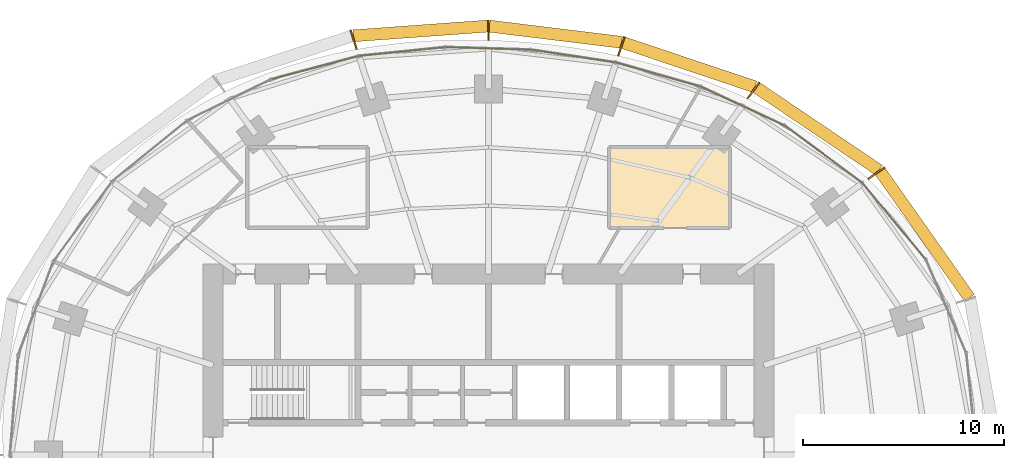
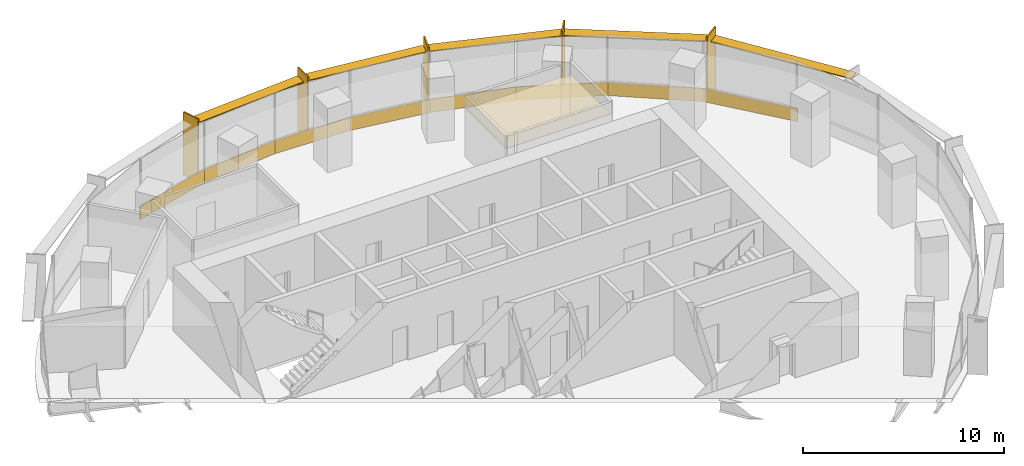
# One storey, part 14 of 14: 10 shading devices, 9 coverings.
"""IFC4 building model written with IfcOpenShell, lengths in metres."""

import ifcopenshell
import ifcopenshell.guid

model = None  # the IFC model being written
_history = None  # IfcOwnerHistory: only IFC2X3 demands one
_inside = {}  # id of a spatial element -> (the spatial element, [elements in it])
_under = {}  # id of a project, library or spatial element -> (it, [spatial elements below it])
_declared = {}  # id of a project -> (the project, [libraries it declares])
_typed = {}  # id of a type object -> (the type object, [elements of that type])
_made_of = {}  # id of a material, layer set ... -> (it, [elements and type objects made of it])


def new_model(schema):
    """Start an empty IFC model of exactly this schema.

    Asked for "IFC4X3", IfcOpenShell would pick the latest addendum, in which some entities
    have other attributes; the version numbers below select the first issue.
    IFC2X3 requires an IfcOwnerHistory on every rooted entity: one is made here for all.
    """
    global model, _history
    if schema == "IFC4X3":
        model = ifcopenshell.file(schema_version=(4, 3, 0, 0))
    else:
        model = ifcopenshell.file(schema=schema)
    _inside.clear()
    _under.clear()
    _declared.clear()
    _typed.clear()
    _made_of.clear()
    _history = None
    if model.schema == "IFC2X3":
        org = make("IfcOrganization", Name="unknown")
        user = make(
            "IfcPersonAndOrganization",
            ThePerson=make("IfcPerson", FamilyName="unknown"),
            TheOrganization=org,
        )
        app = make(
            "IfcApplication",
            ApplicationDeveloper=org,
            Version="unknown",
            ApplicationFullName="unknown",
            ApplicationIdentifier="unknown",
        )
        _history = make(
            "IfcOwnerHistory",
            OwningUser=user,
            OwningApplication=app,
            ChangeAction="ADDED",
            CreationDate=0,
        )
    return model


def make(cls, **values):
    """One entity of the class cls with the attributes given. An attribute that is None is left unset."""
    return model.create_entity(
        cls, **{name: value for name, value in values.items() if value is not None}
    )


def rooted(cls, **values):
    """An entity with a GlobalId (a new one), such as an element, a storey or a relation."""
    return make(cls, GlobalId=ifcopenshell.guid.new(), OwnerHistory=_history, **values)


def si_unit(unit_type, name, prefix=None):
    """IfcSIUnit, for example si_unit("LENGTHUNIT", "METRE", prefix="MILLI")."""
    return make("IfcSIUnit", UnitType=unit_type, Prefix=prefix, Name=name)


def assignment(units):
    """IfcUnitAssignment: the units of a project."""
    return None if units is None else make("IfcUnitAssignment", Units=units)


def point(xyz):
    """IfcCartesianPoint."""
    return None if xyz is None else make("IfcCartesianPoint", Coordinates=xyz)


def direction(xyz):
    """IfcDirection."""
    return None if xyz is None else make("IfcDirection", DirectionRatios=xyz)


def frame(location, z_axis=None, x_axis=None):
    """IfcAxis2Placement3D, a coordinate frame: its origin and axes. An axis left out is left unset."""
    return make(
        "IfcAxis2Placement3D",
        Location=point(location),
        Axis=direction(z_axis),
        RefDirection=direction(x_axis),
    )


def frame_2d(location, x_axis=None):
    """IfcAxis2Placement2D, a coordinate frame in the plane: its origin and x axis."""
    return make(
        "IfcAxis2Placement2D", Location=point(location), RefDirection=direction(x_axis)
    )


def origin():
    """The frame at (0, 0, 0) with its axes left unset."""
    return frame((0.0, 0.0, 0.0))


def origin_2d():
    """The frame at (0, 0) in the plane with its x axis left unset."""
    return frame_2d((0.0, 0.0))


def place(relative_to, where):
    """IfcLocalPlacement: puts the frame where relative to a parent placement (None: the world)."""
    return make(
        "IfcLocalPlacement", PlacementRelTo=relative_to, RelativePlacement=where
    )


def context(
    kind, dimensions, precision=None, world=None, true_north=None, identifier=None
):
    """IfcGeometricRepresentationContext, for example the 3D "Model" context."""
    return make(
        "IfcGeometricRepresentationContext",
        ContextIdentifier=identifier,
        ContextType=kind,
        CoordinateSpaceDimension=dimensions,
        Precision=precision,
        WorldCoordinateSystem=world,
        TrueNorth=true_north,
    )


def subcontext(parent, identifier, kind, view, scale=None):
    """IfcGeometricRepresentationSubContext, for example "Body" below "Model"."""
    return make(
        "IfcGeometricRepresentationSubContext",
        ContextIdentifier=identifier,
        ContextType=kind,
        ParentContext=parent,
        TargetScale=scale,
        TargetView=view,
    )


def project(units=None, contexts=None):
    """IfcProject with its units and contexts."""
    return rooted(
        "IfcProject",
        Name="project",
        RepresentationContexts=contexts,
        UnitsInContext=assignment(units),
    )


def spatial(cls, under=None, at=None, **own):
    """A site, building, storey or space (cls), placed at a placement, below another one or the project."""
    s = rooted(cls, ObjectPlacement=at, **own)
    if under is not None:
        _under.setdefault(under.id(), (under, []))[1].append(s)
    return s


def polyline(points):
    """IfcPolyline through the points."""
    return make("IfcPolyline", Points=[point(p) for p in points])


def profile(cls, at=None, kind="AREA", **sizes):
    """A parametric profile (cls). Its sizes go by their IFC names, for example OverallWidth=200.0."""
    return make(cls, ProfileType=kind, Position=at, **sizes)


def rectangle(**sizes):
    """IfcRectangleProfileDef."""
    return profile("IfcRectangleProfileDef", **sizes)


def outline(outer, holes=None, kind="AREA"):
    """IfcArbitraryClosedProfileDef: a profile drawn as a closed curve; with holes, ...WithVoids."""
    if holes is None:
        return make("IfcArbitraryClosedProfileDef", ProfileType=kind, OuterCurve=outer)
    return make(
        "IfcArbitraryProfileDefWithVoids",
        ProfileType=kind,
        OuterCurve=outer,
        InnerCurves=holes,
    )


def extrude(swept, where, along, depth):
    """IfcExtrudedAreaSolid: the profile swept, set in the frame where, extruded along a direction by depth."""
    return make(
        "IfcExtrudedAreaSolid",
        SweptArea=swept,
        Position=where,
        ExtrudedDirection=direction(along),
        Depth=depth,
    )


def shape(context_of_items, identifier, shape_type, items):
    """IfcShapeRepresentation: the items that make up one representation, for example the "Body"."""
    return make(
        "IfcShapeRepresentation",
        ContextOfItems=context_of_items,
        RepresentationIdentifier=identifier,
        RepresentationType=shape_type,
        Items=items,
    )


def material(Name=None, Category=None):
    """IfcMaterial."""
    return make("IfcMaterial", Name=Name, Category=Category)


def layer(
    of_material, thickness, ventilated=None, Name=None, Category=None, Priority=None
):
    """IfcMaterialLayer: one layer of a wall or slab, of a material (None: an air gap)."""
    return make(
        "IfcMaterialLayer",
        Material=of_material,
        LayerThickness=thickness,
        IsVentilated=ventilated,
        Name=Name,
        Category=Category,
        Priority=Priority,
    )


def layer_set(layers, Name=None):
    """IfcMaterialLayerSet."""
    return make("IfcMaterialLayerSet", MaterialLayers=layers, LayerSetName=Name)


def made_of(thing, what):
    """Note that an element or type object is made of a material, layer set ...; save() writes the relation."""
    if what is not None:
        _made_of.setdefault(what.id(), (what, []))[1].append(thing)
    return thing


def type_object(cls, material=None, **own):
    """A type object (cls), such as IfcWallType, which elements share."""
    return made_of(rooted(cls, **own), material)


def element(
    cls,
    number,
    at=None,
    inside=None,
    cuts=None,
    type_object=None,
    material=None,
    context=None,
    identifier="Body",
    shape_type=None,
    held_by="IfcProductDefinitionShape",
    body=None,
    shapes=None,
    **own,
):
    """One element of the class cls, such as IfcWall. Its Tag is "e" and its number.

    at: its placement. inside: the storey or other place that contains it. cuts: it is an
    opening in that element (IfcRelVoidsElement). A single representation is given by context,
    identifier, shape_type and body (its items); several are given by shapes. held_by: the class
    of the entity that holds the representations. save() writes the other relations.
    """
    e = rooted(cls, Tag="e%d" % number, ObjectPlacement=at, **own)
    if body is not None:
        shapes = [shape(context, identifier, shape_type, body)]
    if shapes is not None:
        e.Representation = make(held_by, Representations=shapes)
    if inside is not None:
        _inside.setdefault(inside.id(), (inside, []))[1].append(e)
    if cuts is not None:
        rooted(
            "IfcRelVoidsElement", RelatingBuildingElement=cuts, RelatedOpeningElement=e
        )
    if type_object is not None:
        _typed.setdefault(type_object.id(), (type_object, []))[1].append(e)
    return made_of(e, material)


def aggregate(whole, parts):
    """IfcRelAggregates: a whole, such as a stair, and the parts it consists of."""
    return rooted("IfcRelAggregates", RelatingObject=whole, RelatedObjects=parts)


def save(model, path):
    """Write the relations noted so far, then the file.

    IfcRelAggregates (storeys below a building ...), IfcRelContainedInSpatialStructure (elements
    in a storey), IfcRelDefinesByType, IfcRelAssociatesMaterial and IfcRelDeclares: one each for
    every whole, place, type object, material and project.
    """
    for whole, parts in _under.values():
        aggregate(whole, parts)
    for where, things in _inside.values():
        rooted(
            "IfcRelContainedInSpatialStructure",
            RelatedElements=things,
            RelatingStructure=where,
        )
    for kind, things in _typed.values():
        rooted("IfcRelDefinesByType", RelatedObjects=things, RelatingType=kind)
    for what, things in _made_of.values():
        rooted("IfcRelAssociatesMaterial", RelatedObjects=things, RelatingMaterial=what)
    for by, libraries in _declared.values():
        rooted("IfcRelDeclares", RelatingContext=by, RelatedDefinitions=libraries)
    model.write(path)


model = new_model("IFC4")

# Units and contexts
model_context = context("Model", 3, precision=1e-05, world=origin(), true_north=direction((0.0, 1.0)))
body_context = subcontext(model_context, "Body", "Model", "MODEL_VIEW")
ifc_project = project(units=[si_unit("LENGTHUNIT", "METRE"), si_unit("AREAUNIT", "SQUARE_METRE"), si_unit("VOLUMEUNIT", "CUBIC_METRE"), si_unit("PLANEANGLEUNIT", "RADIAN"), si_unit("MASSUNIT", "GRAM", prefix="KILO")], contexts=[model_context])

# Site, building, storey
site_placement = place(None, origin())
site = spatial("IfcSite", under=ifc_project, at=site_placement, CompositionType="ELEMENT")
building_placement = place(site_placement, origin())
building = spatial("IfcBuilding", under=site, at=building_placement, Name="Marramba Exchange Tower", CompositionType="ELEMENT")
storey_placement = place(building_placement, frame((0.0, 0.0, 242.300048828125)))
storey = spatial("IfcBuildingStorey", under=building, at=storey_placement, Name="L59", CompositionType="ELEMENT", Elevation=242.300048828125)

# Shading devices
ifc_material_1 = material(Name="Aluminium blade, timber-look bronze finish", Category="wood")
ifc_layer_1 = layer(ifc_material_1, 0.080078125)
ifc_layer_set_1 = layer_set([ifc_layer_1], Name="Floor-edge blade 1000x80")
shading_device_type_1 = type_object("IfcShadingDeviceType", Name="Floor-edge blade 1000x80", PredefinedType="USERDEFINED", material=ifc_layer_set_1)
for number, where, z_axis, x_axis, name in (
    (1, (19.298828125, 14.021484375, -0.16015625), (0.0, 0.0, 1.0), (0.809016994375, 0.587785252292, 0.0), "Floor-edge blade FB1 L59 TC03"),
    (2, (13.176513671875, 18.135986328125, -0.16015625), (0.0, 0.0, 1.0), (0.587785252292, 0.809016994375, 0.0), "Floor-edge blade FB1 L59 TC04"),
    (3, (6.605712890625, 20.330078125, -0.16015625), (0.0, 0.0, 1.0), (0.309016994375, 0.951056516295, 0.0), "Floor-edge blade FB1 L59 TC05"),
    (4, (0.0, 21.13623046875, -0.16015625), (0.0, 0.0, 1.0), (0.0, 1.0, 0.0), "Floor-edge blade FB1 L59 TC06"),
    (5, (-6.7119140625, 20.657470703125, -0.16015625), (0.0, 0.0, 1.0), (-0.309016994375, 0.951056516295, 0.0), "Floor-edge blade FB1 L59 TC07"),
):
    element("IfcShadingDevice", number, at=place(storey_placement, frame(where, z_axis=z_axis, x_axis=x_axis)), inside=storey, type_object=shading_device_type_1, Name=name, ObjectType="FIN", PredefinedType="USERDEFINED", context=body_context, shape_type="SweptSolid", body=[
        extrude(rectangle(XDim=1.0, YDim=0.080078125, at=origin_2d()), origin(), (0.0, 0.0, 1.0), 3.860107421875),
    ])
ifc_material_2 = material(Name="Aluminium sunshade, bronze anodised", Category="aluminium")
ifc_layer_2 = layer(ifc_material_2, 0.06005859375)
ifc_layer_set_2 = layer_set([ifc_layer_2], Name="SUNSHADE blade 600x60")
shading_device_type_2 = type_object("IfcShadingDeviceType", Name="SUNSHADE blade 600x60", PredefinedType="USERDEFINED", material=ifc_layer_set_2)
shading_device_1_placement = place(storey_placement, frame((21.703857421875, 10.9599609375, 3.119873046875), z_axis=(0.0, 0.0, 1.0), x_axis=(-0.576555118613, 0.81705825692, 0.0)))
element("IfcShadingDevice", 6, at=shading_device_1_placement, inside=storey, type_object=shading_device_type_2, Name="Sunshade SS1 L59 bay 02", ObjectType="SUNSHADE", PredefinedType="USERDEFINED", context=body_context, shape_type="SweptSolid", body=[
    extrude(rectangle(XDim=7.70166015625, YDim=0.60009765625, at=origin_2d()), origin(), (0.0, 0.0, 1.0), 0.06005859375),
])
shading_device_2_placement = place(storey_placement, frame((16.37744140625, 16.218505859375, 3.119873046875), z_axis=(0.0, 0.0, 1.0), x_axis=(-0.829071447151, 0.559142679035, 0.0)))
element("IfcShadingDevice", 7, at=shading_device_2_placement, inside=storey, type_object=shading_device_type_2, Name="Sunshade SS1 L59 bay 03", ObjectType="SUNSHADE", PredefinedType="USERDEFINED", context=body_context, shape_type="SweptSolid", body=[
    extrude(rectangle(XDim=7.35791015625, YDim=0.60009765625, at=origin_2d()), origin(), (0.0, 0.0, 1.0), 0.06005859375),
])
shading_device_3_placement = place(storey_placement, frame((9.980712890625, 19.4091796875, 3.119873046875), z_axis=(0.0, 0.0, 1.0), x_axis=(-0.948096437223, 0.317982933073, 0.0)))
element("IfcShadingDevice", 8, at=shading_device_3_placement, inside=storey, type_object=shading_device_type_2, Name="Sunshade SS1 L59 bay 04", ObjectType="SUNSHADE", PredefinedType="USERDEFINED", context=body_context, shape_type="SweptSolid", body=[
    extrude(rectangle(XDim=6.909423828125, YDim=0.60009765625, at=origin_2d()), origin(), (0.0, 0.0, 1.0), 0.06005859375),
])
shading_device_4_placement = place(storey_placement, frame((3.333740234375, 20.92822265625, 3.119873046875), z_axis=(0.0, 0.0, 1.0), x_axis=(-0.992595256045, 0.121468751853, 0.0)))
element("IfcShadingDevice", 9, at=shading_device_4_placement, inside=storey, type_object=shading_device_type_2, Name="Sunshade SS1 L59 bay 05", ObjectType="SUNSHADE", PredefinedType="USERDEFINED", context=body_context, shape_type="SweptSolid", body=[
    extrude(rectangle(XDim=6.63720703125, YDim=0.60009765625, at=origin_2d()), origin(), (0.0, 0.0, 1.0), 0.06005859375),
])
shading_device_5_placement = place(storey_placement, frame((-3.386962890625, 21.092041015625, 3.119873046875), z_axis=(0.0, 0.0, 1.0), x_axis=(-0.997407641713, -0.071958295234, 0.0)))
element("IfcShadingDevice", 10, at=shading_device_5_placement, inside=storey, type_object=shading_device_type_2, Name="Sunshade SS1 L59 bay 06", ObjectType="SUNSHADE", PredefinedType="USERDEFINED", context=body_context, shape_type="SweptSolid", body=[
    extrude(rectangle(XDim=6.71142578125, YDim=0.60009765625, at=origin_2d()), origin(), (0.0, 0.0, 1.0), 0.06005859375),
])

# Coverings
ifc_material_3 = material(Name="Aluminium spandrel panel, bronze anodised, insulated", Category="aluminium")
ifc_layer_3 = layer(ifc_material_3, 0.050048828125)
ifc_layer_set_3 = layer_set([ifc_layer_3], Name="Spandrel panel 800")
covering_type_1 = type_object("IfcCoveringType", Name="Spandrel panel 800", PredefinedType="CLADDING", material=ifc_layer_set_3)
covering_1_placement = place(storey_placement, frame((20.193603515625, 11.608642578125, 0.0), z_axis=(0.0, 0.0, 1.0), x_axis=(-0.637350224586, 0.770574260678, 0.0)))
element("IfcCovering", 11, at=covering_1_placement, inside=storey, type_object=covering_type_1, Name="Spandrel panel SP1 L59 F03", PredefinedType="CLADDING", context=body_context, shape_type="SweptSolid", body=[
    extrude(rectangle(XDim=4.9658203125, YDim=0.050048828125, at=origin_2d()), origin(), (0.0, 0.0, 1.0), 0.800048828125),
])
covering_2_placement = place(storey_placement, frame((16.677001953125, 14.94775390625, 0.0), z_axis=(0.0, 0.0, 1.0), x_axis=(-0.804877256733, 0.593441321104, 0.0)))
element("IfcCovering", 12, at=covering_2_placement, inside=storey, type_object=covering_type_1, Name="Spandrel panel SP1 L59 F04", PredefinedType="CLADDING", context=body_context, shape_type="SweptSolid", body=[
    extrude(rectangle(XDim=4.805908203125, YDim=0.050048828125, at=origin_2d()), origin(), (0.0, 0.0, 1.0), 0.800048828125),
])
covering_3_placement = place(storey_placement, frame((12.65869140625, 17.344482421875, 0.0), z_axis=(0.0, 0.0, 1.0), x_axis=(-0.906533903661, 0.422133014005, 0.0)))
element("IfcCovering", 13, at=covering_3_placement, inside=storey, type_object=covering_type_1, Name="Spandrel panel SP1 L59 F05", PredefinedType="CLADDING", context=body_context, shape_type="SweptSolid", body=[
    extrude(rectangle(XDim=4.5986328125, YDim=0.050048828125, at=origin_2d()), origin(), (0.0, 0.0, 1.0), 0.800048828125),
])
covering_4_placement = place(storey_placement, frame((8.45849609375, 18.91845703125, 0.0), z_axis=(0.0, 0.0, 1.0), x_axis=(-0.961658952783, 0.274248169607, 0.0)))
element("IfcCovering", 14, at=covering_4_placement, inside=storey, type_object=covering_type_1, Name="Spandrel panel SP1 L59 F06", PredefinedType="CLADDING", context=body_context, shape_type="SweptSolid", body=[
    extrude(rectangle(XDim=4.39990234375, YDim=0.050048828125, at=origin_2d()), origin(), (0.0, 0.0, 1.0), 0.800048828125),
])
covering_5_placement = place(storey_placement, frame((4.230712890625, 19.839599609375, 0.0), z_axis=(0.0, 0.0, 1.0), x_axis=(-0.988868065308, 0.148794991224, 0.0)))
element("IfcCovering", 15, at=covering_5_placement, inside=storey, type_object=covering_type_1, Name="Spandrel panel SP1 L59 F07", PredefinedType="CLADDING", context=body_context, shape_type="SweptSolid", body=[
    extrude(rectangle(XDim=4.27197265625, YDim=0.050048828125, at=origin_2d()), origin(), (0.0, 0.0, 1.0), 0.800048828125),
])
covering_6_placement = place(storey_placement, frame((-0.0068359375, 20.221923828125, 0.0), z_axis=(0.0, 0.0, 1.0), x_axis=(-0.999537999985, 0.030393857689, 0.0)))
element("IfcCovering", 16, at=covering_6_placement, inside=storey, type_object=covering_type_1, Name="Spandrel panel SP1 L59 F08", PredefinedType="CLADDING", context=body_context, shape_type="SweptSolid", body=[
    extrude(rectangle(XDim=4.252685546875, YDim=0.050048828125, at=origin_2d()), origin(), (0.0, 0.0, 1.0), 0.800048828125),
])
covering_7_placement = place(storey_placement, frame((-4.290771484375, 20.06787109375, 0.0), z_axis=(0.0, 0.0, 1.0), x_axis=(-0.994900357732, -0.10086266993, 0.0)))
element("IfcCovering", 17, at=covering_7_placement, inside=storey, type_object=covering_type_1, Name="Spandrel panel SP1 L59 F09", PredefinedType="CLADDING", context=body_context, shape_type="SweptSolid", body=[
    extrude(rectangle(XDim=4.33935546875, YDim=0.050048828125, at=origin_2d()), origin(), (0.0, 0.0, 1.0), 0.800048828125),
])
covering_8_placement = place(storey_placement, frame((-8.620361328125, 19.27001953125, 0.0), z_axis=(0.0, 0.0, 1.0), x_axis=(-0.966240651433, -0.257641230237, 0.0)))
element("IfcCovering", 18, at=covering_8_placement, inside=storey, type_object=covering_type_1, Name="Spandrel panel SP1 L59 F10", PredefinedType="CLADDING", context=body_context, shape_type="SweptSolid", body=[
    extrude(rectangle(XDim=4.49365234375, YDim=0.050048828125, at=origin_2d()), origin(), (0.0, 0.0, 1.0), 0.800048828125),
])
ifc_material_4 = material(Name="Mineral fibre ceiling tiles", Category="gypsum")
ifc_layer_4 = layer(ifc_material_4, 0.02001953125)
ifc_layer_set_4 = layer_set([ifc_layer_4], Name="Suspended ceiling 20")
covering_type_2 = type_object("IfcCoveringType", Name="Suspended ceiling 20", PredefinedType="CEILING", material=ifc_layer_set_4)
covering_9_placement = place(storey_placement, frame((0.0, 0.0, 2.89990234375)))
element("IfcCovering", 19, at=covering_9_placement, inside=storey, type_object=covering_type_2, Name="Ceiling CL1 L59 Meeting Room 2", PredefinedType="CEILING", context=body_context, shape_type="SweptSolid", body=[
    extrude(outline(polyline([(12.0, 15.300048828125), (12.0, 11.300048828125), (6.0, 11.300048828125), (6.0, 15.300048828125), (12.0, 15.300048828125)])), origin(), (0.0, 0.0, 1.0), 0.02001953125),
])

save(model, "model.ifc")
